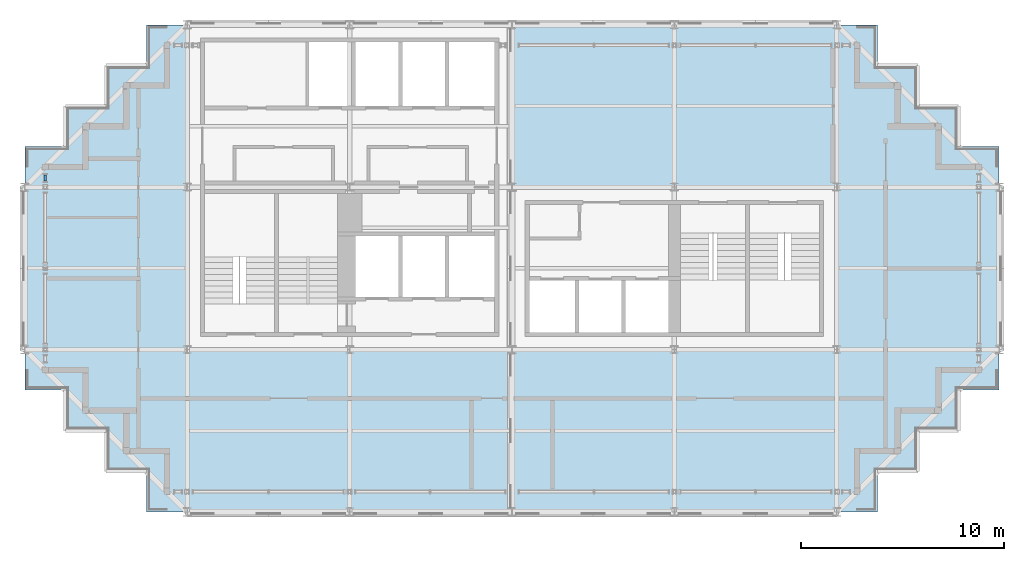
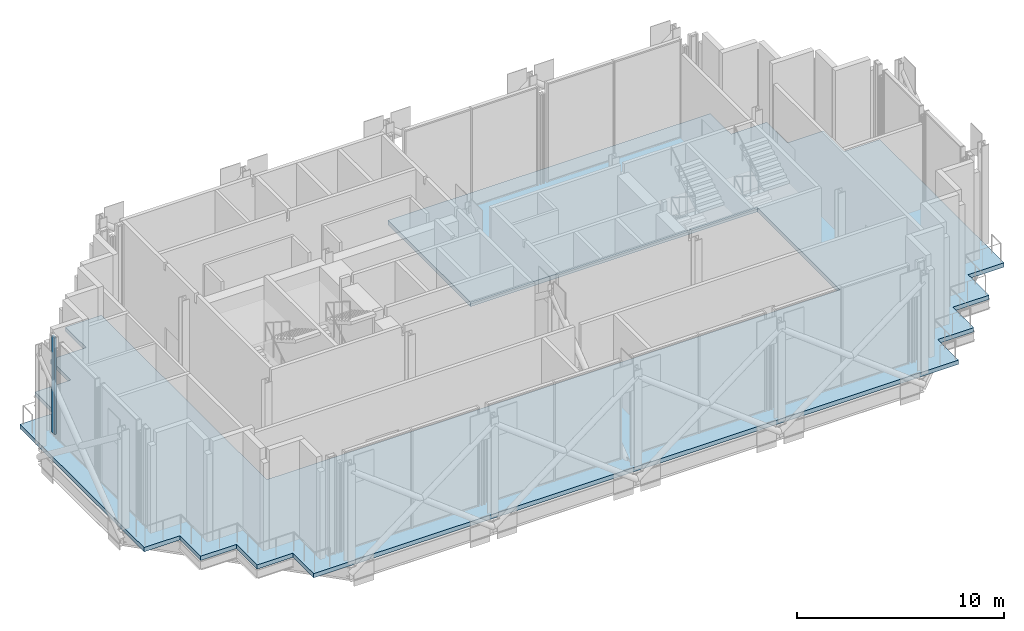
# One storey, part 8 of 16: 1 plate, 1 slab, 1 element without a shape of its own.
"""IFC4 building model written with IfcOpenShell, lengths in metres."""

from ifc_helpers import new_model, si_unit, direction, frame, origin, origin_2d, place, context, subcontext, project, spatial, polyline, rectangle, outline, extrude, material, layer, layer_set, type_object, element, aggregate, save


model = new_model("IFC4")

# Units and contexts
model_context = context("Model", 3, precision=1e-05, world=origin(), true_north=direction((0.0, 1.0)))
body_context = subcontext(model_context, "Body", "Model", "MODEL_VIEW")
ifc_project = project(units=[si_unit("LENGTHUNIT", "METRE"), si_unit("AREAUNIT", "SQUARE_METRE"), si_unit("VOLUMEUNIT", "CUBIC_METRE"), si_unit("PLANEANGLEUNIT", "RADIAN"), si_unit("MASSUNIT", "GRAM", prefix="KILO")], contexts=[model_context])

# Site, building, storey
site_placement = place(None, origin())
site = spatial("IfcSite", under=ifc_project, at=site_placement, CompositionType="ELEMENT")
building_placement = place(site_placement, origin())
building = spatial("IfcBuilding", under=site, at=building_placement, Name="Immortelle Media Tower", CompositionType="ELEMENT")
storey_placement = place(building_placement, frame((0.0, 0.0, 241.0)))
storey = spatial("IfcBuildingStorey", under=building, at=storey_placement, Name="L52", CompositionType="ELEMENT", Elevation=241.0)

# Slab
ifc_material_1 = material(Name="Concrete C50/60", Category="concrete")
ifc_layer_1 = layer(ifc_material_1, 0.25)
ifc_layer_set_1 = layer_set([ifc_layer_1], Name="Concrete C50/60")
slab_type = type_object("IfcSlabType", Name="Composite floor slab 250", PredefinedType="FLOOR", material=ifc_layer_set_1)
slab_placement = place(storey_placement, frame((0.0, 0.0, -0.25)))
element("IfcSlab", 1, at=slab_placement, inside=storey, type_object=slab_type, Name="Floor slab L52", PredefinedType="FLOOR", context=body_context, shape_type="SweptSolid", body=[
    extrude(outline(polyline([(42.0, 24.0), (42.0, 22.0), (44.0, 22.0), (44.0, 20.0), (46.0, 20.0), (46.0, 18.0), (48.0, 18.0), (48.0, 6.0), (46.0, 6.0), (46.0, 4.0), (44.0, 4.0), (44.0, 2.0), (42.0, 2.0), (42.0, 0.0), (24.0, 0.0), (6.0, 0.0), (6.0, 2.0), (4.0, 2.0), (4.0, 4.0), (2.0, 4.0), (2.0, 6.0), (0.0, 6.0), (0.0, 18.0), (2.0, 18.0), (2.0, 20.0), (4.0, 20.0), (4.0, 22.0), (6.0, 22.0), (6.0, 24.0), (8.0, 24.0), (8.0, 8.0), (24.0, 8.0), (40.0, 8.0), (40.0, 16.0), (24.0, 16.0), (24.0, 24.0), (42.0, 24.0)])), origin(), (0.0, 0.0, 1.0), 0.25),
])

# Curtain wall, plate
ifc_material_2 = material(Name="Aluminium curtain wall system", Category="aluminium")
curtain_wall_type = type_object("IfcCurtainWallType", Name="Plant louvre wall curtain wall", PredefinedType="NOTDEFINED", material=ifc_material_2)
curtain_wall_placement = place(storey_placement, origin())
curtain_wall = element("IfcCurtainWall", 2, at=curtain_wall_placement, inside=storey, type_object=curtain_wall_type, Name="Plant louvre wall L52 W 28-2", PredefinedType="NOTDEFINED")
ifc_material_3 = material(Name="Pale aluminium louvre panel", Category="aluminium")
ifc_layer_2 = layer(ifc_material_3, 0.1201171875)
ifc_layer_set_2 = layer_set([ifc_layer_2], Name="Pale aluminium louvre panel")
plate_type = type_object("IfcPlateType", Name="Dust and storm rated louvre panel 120 mm", PredefinedType="CURTAIN_PANEL", material=ifc_layer_set_2)
plate_placement = place(storey_placement, frame((1.0, 16.452392578125, 0.080078125), z_axis=(0.0, 0.0, 1.0), x_axis=(0.0, -1.0, 0.0)))
plate = element("IfcPlate", 3, at=plate_placement, type_object=plate_type, Name="CW6 panel 1.1", PredefinedType="CURTAIN_PANEL", context=body_context, shape_type="SweptSolid", body=[
    extrude(rectangle(XDim=0.297607421875, YDim=0.1201171875, at=origin_2d()), origin(), (0.0, 0.0, 1.0), 5.689453125),
])
aggregate(curtain_wall, [plate])

save(model, "model.ifc")
